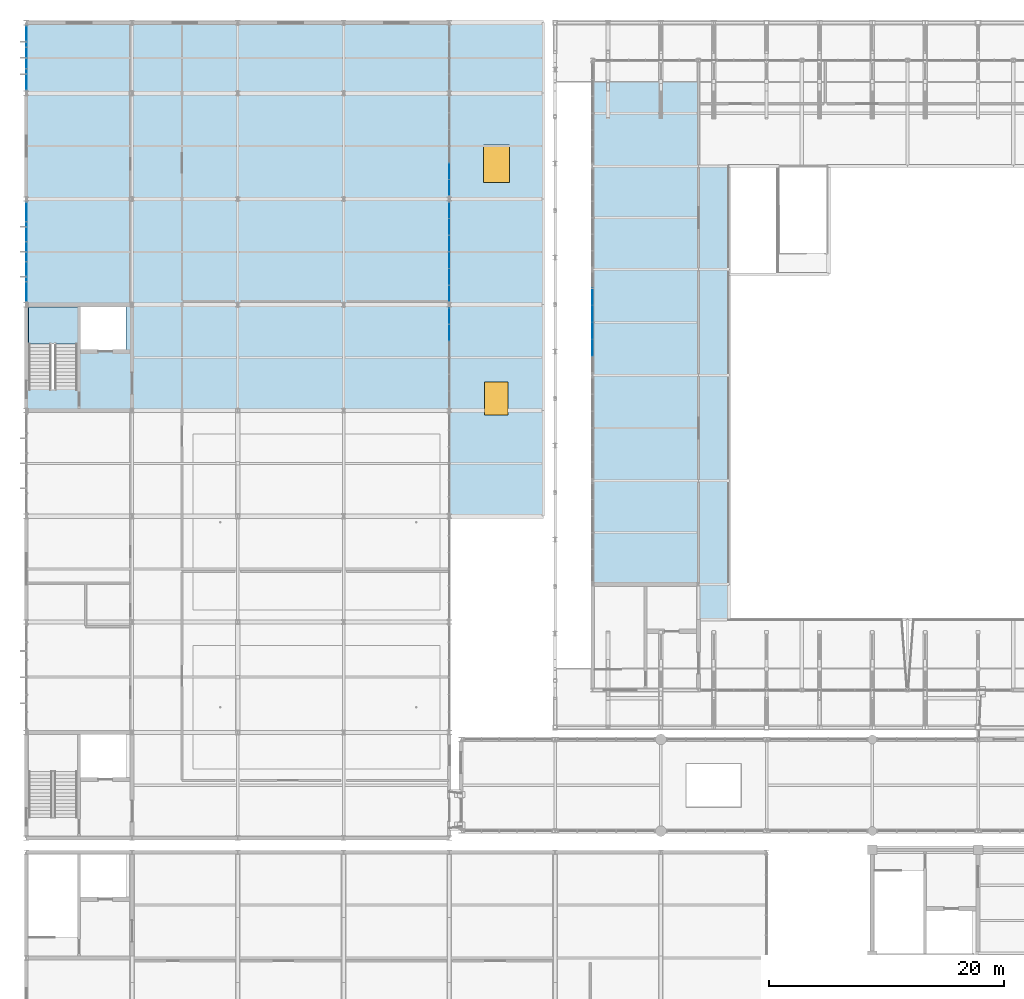
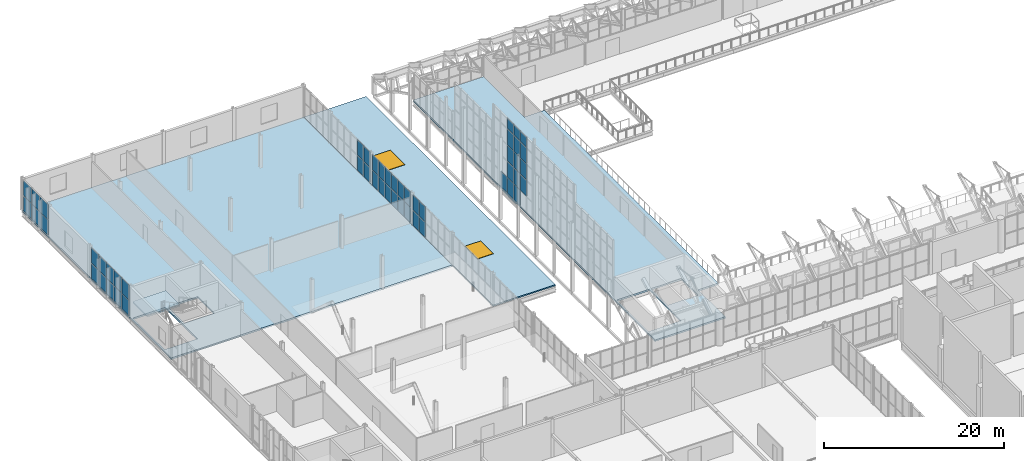
# One storey, part 96 of 134: 51 plates, 4 slabs, 2 windows, 2 openings, 7 elements without a shape of their own.
"""IFC4 building model written with IfcOpenShell, lengths in metres."""

from ifc_helpers import new_model, si_unit, direction, frame, origin, origin_2d, place, context, subcontext, project, spatial, polyline, rectangle, outline, extrude, material, layer, layer_set, type_object, element, fill, aggregate, save


model = new_model("IFC4")

# Units and contexts
model_context = context("Model", 3, precision=1e-05, world=origin(), true_north=direction((0.0, 1.0)))
body_context = subcontext(model_context, "Body", "Model", "MODEL_VIEW")
ifc_project = project(units=[si_unit("LENGTHUNIT", "METRE"), si_unit("AREAUNIT", "SQUARE_METRE"), si_unit("VOLUMEUNIT", "CUBIC_METRE"), si_unit("PLANEANGLEUNIT", "RADIAN"), si_unit("MASSUNIT", "GRAM", prefix="KILO")], contexts=[model_context])

# Site, building, storey
site_placement = place(None, origin())
site = spatial("IfcSite", under=ifc_project, at=site_placement, CompositionType="ELEMENT")
building_placement = place(site_placement, origin())
building = spatial("IfcBuilding", under=site, at=building_placement, Name="Cazmaro Siding Exhibition Halls", CompositionType="ELEMENT")
storey_placement = place(building_placement, frame((0.0, 0.0, 12.0)))
storey = spatial("IfcBuildingStorey", under=building, at=storey_placement, Name="L02", CompositionType="ELEMENT", Elevation=12.0)

# Curtain wall, plates
ifc_material_1 = material(Name="Anodized Bronze Aluminum and Solar-Control Low-E Glazing", Category="aluminium")
ifc_layer_1 = layer(ifc_material_1, 0.179931640625)
ifc_layer_set_1 = layer_set([ifc_layer_1], Name="Anodized Bronze Aluminum and Solar-Control Low-E Glazing")
curtain_wall_type_1 = type_object("IfcCurtainWallType", Name="CWS-01", PredefinedType="USERDEFINED", material=ifc_layer_set_1)
curtain_wall_1_placement = place(storey_placement, origin())
curtain_wall_1 = element("IfcCurtainWall", 1, at=curtain_wall_1_placement, inside=storey, type_object=curtain_wall_type_1, Name="Glazed Curtain Wall CWS-01 CW-241", ObjectType="GLAZED CURTAIN WALL", PredefinedType="USERDEFINED")
ifc_material_2 = material(Name="Solar-Control Low-E Double Insulating Glass", Category="glass")
ifc_layer_2 = layer(ifc_material_2, 0.02392578125)
ifc_layer_set_2 = layer_set([ifc_layer_2], Name="Solar-Control Low-E Double Insulating Glass")
plate_type_1 = type_object("IfcPlateType", Name="CWP-01", PredefinedType="CURTAIN_PANEL", material=ifc_layer_set_2)
plate_1_placement = place(storey_placement, frame((36.0, 97.62744140625, 0.06005859375), z_axis=(0.0, 0.0, 1.0), x_axis=(0.0, 1.0, 0.0)))
plate_1 = element("IfcPlate", 2, at=plate_1_placement, type_object=plate_type_1, Name="CWS-01 panel 5.1", PredefinedType="CURTAIN_PANEL", context=body_context, shape_type="SweptSolid", body=[
    extrude(rectangle(XDim=1.3583984375, YDim=0.02392578125, at=origin_2d()), origin(), (0.0, 0.0, 1.0), 2.050048828125),
])
plate_2_placement = place(storey_placement, frame((36.0, 97.62744140625, 2.169921875), z_axis=(0.0, 0.0, 1.0), x_axis=(0.0, 1.0, 0.0)))
plate_2 = element("IfcPlate", 3, at=plate_2_placement, type_object=plate_type_1, Name="CWS-01 panel 5.2", PredefinedType="CURTAIN_PANEL", context=body_context, shape_type="SweptSolid", body=[
    extrude(rectangle(XDim=1.3583984375, YDim=0.02392578125, at=origin_2d()), origin(), (0.0, 0.0, 1.0), 2.050048828125),
])
plate_3_placement = place(storey_placement, frame((36.0, 99.03076171875, 0.06005859375), z_axis=(0.0, 0.0, 1.0), x_axis=(0.0, 1.0, 0.0)))
plate_3 = element("IfcPlate", 4, at=plate_3_placement, type_object=plate_type_1, Name="CWS-01 panel 6.1", PredefinedType="CURTAIN_PANEL", context=body_context, shape_type="SweptSolid", body=[
    extrude(rectangle(XDim=1.328369140625, YDim=0.02392578125, at=origin_2d()), origin(), (0.0, 0.0, 1.0), 2.050048828125),
])
plate_4_placement = place(storey_placement, frame((36.0, 99.03076171875, 2.169921875), z_axis=(0.0, 0.0, 1.0), x_axis=(0.0, 1.0, 0.0)))
plate_4 = element("IfcPlate", 5, at=plate_4_placement, type_object=plate_type_1, Name="CWS-01 panel 6.2", PredefinedType="CURTAIN_PANEL", context=body_context, shape_type="SweptSolid", body=[
    extrude(rectangle(XDim=1.328369140625, YDim=0.02392578125, at=origin_2d()), origin(), (0.0, 0.0, 1.0), 2.050048828125),
])
aggregate(curtain_wall_1, [plate_1, plate_2, plate_3, plate_4])

curtain_wall_2_placement = place(storey_placement, origin())
curtain_wall_2 = element("IfcCurtainWall", 6, at=curtain_wall_2_placement, inside=storey, type_object=curtain_wall_type_1, Name="Glazed Curtain Wall CWS-01 CW-243", ObjectType="GLAZED CURTAIN WALL", PredefinedType="USERDEFINED")
plate_5_placement = place(storey_placement, frame((36.0, 100.96923828125, 0.06005859375), z_axis=(0.0, 0.0, 1.0), x_axis=(0.0, 1.0, 0.0)))
plate_5 = element("IfcPlate", 7, at=plate_5_placement, type_object=plate_type_1, Name="CWS-01 panel 1.1", PredefinedType="CURTAIN_PANEL", context=body_context, shape_type="SweptSolid", body=[
    extrude(rectangle(XDim=1.328369140625, YDim=0.02392578125, at=origin_2d()), origin(), (0.0, 0.0, 1.0), 2.050048828125),
])
plate_6_placement = place(storey_placement, frame((36.0, 100.96923828125, 2.169921875), z_axis=(0.0, 0.0, 1.0), x_axis=(0.0, 1.0, 0.0)))
plate_6 = element("IfcPlate", 8, at=plate_6_placement, type_object=plate_type_1, Name="CWS-01 panel 1.2", PredefinedType="CURTAIN_PANEL", context=body_context, shape_type="SweptSolid", body=[
    extrude(rectangle(XDim=1.328369140625, YDim=0.02392578125, at=origin_2d()), origin(), (0.0, 0.0, 1.0), 2.050048828125),
])
plate_7_placement = place(storey_placement, frame((36.0, 102.37255859375, 0.06005859375), z_axis=(0.0, 0.0, 1.0), x_axis=(0.0, 1.0, 0.0)))
plate_7 = element("IfcPlate", 9, at=plate_7_placement, type_object=plate_type_1, Name="CWS-01 panel 2.1", PredefinedType="CURTAIN_PANEL", context=body_context, shape_type="SweptSolid", body=[
    extrude(rectangle(XDim=1.3583984375, YDim=0.02392578125, at=origin_2d()), origin(), (0.0, 0.0, 1.0), 2.050048828125),
])
plate_8_placement = place(storey_placement, frame((36.0, 102.37255859375, 2.169921875), z_axis=(0.0, 0.0, 1.0), x_axis=(0.0, 1.0, 0.0)))
plate_8 = element("IfcPlate", 10, at=plate_8_placement, type_object=plate_type_1, Name="CWS-01 panel 2.2", PredefinedType="CURTAIN_PANEL", context=body_context, shape_type="SweptSolid", body=[
    extrude(rectangle(XDim=1.3583984375, YDim=0.02392578125, at=origin_2d()), origin(), (0.0, 0.0, 1.0), 2.050048828125),
])
plate_9_placement = place(storey_placement, frame((36.0, 103.790771484375, 0.06005859375), z_axis=(0.0, 0.0, 1.0), x_axis=(0.0, 1.0, 0.0)))
plate_9 = element("IfcPlate", 11, at=plate_9_placement, type_object=plate_type_1, Name="CWS-01 panel 3.1", PredefinedType="CURTAIN_PANEL", context=body_context, shape_type="SweptSolid", body=[
    extrude(rectangle(XDim=1.3583984375, YDim=0.02392578125, at=origin_2d()), origin(), (0.0, 0.0, 1.0), 2.050048828125),
])
plate_10_placement = place(storey_placement, frame((36.0, 103.790771484375, 2.169921875), z_axis=(0.0, 0.0, 1.0), x_axis=(0.0, 1.0, 0.0)))
plate_10 = element("IfcPlate", 12, at=plate_10_placement, type_object=plate_type_1, Name="CWS-01 panel 3.2", PredefinedType="CURTAIN_PANEL", context=body_context, shape_type="SweptSolid", body=[
    extrude(rectangle(XDim=1.3583984375, YDim=0.02392578125, at=origin_2d()), origin(), (0.0, 0.0, 1.0), 2.050048828125),
])
plate_11_placement = place(storey_placement, frame((36.0, 105.209228515625, 0.06005859375), z_axis=(0.0, 0.0, 1.0), x_axis=(0.0, 1.0, 0.0)))
plate_11 = element("IfcPlate", 13, at=plate_11_placement, type_object=plate_type_1, Name="CWS-01 panel 4.1", PredefinedType="CURTAIN_PANEL", context=body_context, shape_type="SweptSolid", body=[
    extrude(rectangle(XDim=1.3583984375, YDim=0.02392578125, at=origin_2d()), origin(), (0.0, 0.0, 1.0), 2.050048828125),
])
plate_12_placement = place(storey_placement, frame((36.0, 105.209228515625, 2.169921875), z_axis=(0.0, 0.0, 1.0), x_axis=(0.0, 1.0, 0.0)))
plate_12 = element("IfcPlate", 14, at=plate_12_placement, type_object=plate_type_1, Name="CWS-01 panel 4.2", PredefinedType="CURTAIN_PANEL", context=body_context, shape_type="SweptSolid", body=[
    extrude(rectangle(XDim=1.3583984375, YDim=0.02392578125, at=origin_2d()), origin(), (0.0, 0.0, 1.0), 2.050048828125),
])
plate_13_placement = place(storey_placement, frame((36.0, 106.62744140625, 0.06005859375), z_axis=(0.0, 0.0, 1.0), x_axis=(0.0, 1.0, 0.0)))
plate_13 = element("IfcPlate", 15, at=plate_13_placement, type_object=plate_type_1, Name="CWS-01 panel 5.1", PredefinedType="CURTAIN_PANEL", context=body_context, shape_type="SweptSolid", body=[
    extrude(rectangle(XDim=1.3583984375, YDim=0.02392578125, at=origin_2d()), origin(), (0.0, 0.0, 1.0), 2.050048828125),
])
plate_14_placement = place(storey_placement, frame((36.0, 106.62744140625, 2.169921875), z_axis=(0.0, 0.0, 1.0), x_axis=(0.0, 1.0, 0.0)))
plate_14 = element("IfcPlate", 16, at=plate_14_placement, type_object=plate_type_1, Name="CWS-01 panel 5.2", PredefinedType="CURTAIN_PANEL", context=body_context, shape_type="SweptSolid", body=[
    extrude(rectangle(XDim=1.3583984375, YDim=0.02392578125, at=origin_2d()), origin(), (0.0, 0.0, 1.0), 2.050048828125),
])
plate_15_placement = place(storey_placement, frame((36.0, 108.03076171875, 0.06005859375), z_axis=(0.0, 0.0, 1.0), x_axis=(0.0, 1.0, 0.0)))
plate_15 = element("IfcPlate", 17, at=plate_15_placement, type_object=plate_type_1, Name="CWS-01 panel 6.1", PredefinedType="CURTAIN_PANEL", context=body_context, shape_type="SweptSolid", body=[
    extrude(rectangle(XDim=1.328369140625, YDim=0.02392578125, at=origin_2d()), origin(), (0.0, 0.0, 1.0), 2.050048828125),
])
plate_16_placement = place(storey_placement, frame((36.0, 108.03076171875, 2.169921875), z_axis=(0.0, 0.0, 1.0), x_axis=(0.0, 1.0, 0.0)))
plate_16 = element("IfcPlate", 18, at=plate_16_placement, type_object=plate_type_1, Name="CWS-01 panel 6.2", PredefinedType="CURTAIN_PANEL", context=body_context, shape_type="SweptSolid", body=[
    extrude(rectangle(XDim=1.328369140625, YDim=0.02392578125, at=origin_2d()), origin(), (0.0, 0.0, 1.0), 2.050048828125),
])
aggregate(curtain_wall_2, [plate_5, plate_6, plate_7, plate_8, plate_9, plate_10, plate_11, plate_12, plate_13, plate_14, plate_15, plate_16])

curtain_wall_3_placement = place(storey_placement, origin())
curtain_wall_3 = element("IfcCurtainWall", 19, at=curtain_wall_3_placement, inside=storey, type_object=curtain_wall_type_1, Name="Glazed Curtain Wall CWS-01 CW-244", ObjectType="GLAZED CURTAIN WALL", PredefinedType="USERDEFINED")
plate_17_placement = place(storey_placement, frame((36.0, 109.96923828125, 0.06005859375), z_axis=(0.0, 0.0, 1.0), x_axis=(0.0, 1.0, 0.0)))
plate_17 = element("IfcPlate", 20, at=plate_17_placement, type_object=plate_type_1, Name="CWS-01 panel 1.1", PredefinedType="CURTAIN_PANEL", context=body_context, shape_type="SweptSolid", body=[
    extrude(rectangle(XDim=1.328369140625, YDim=0.02392578125, at=origin_2d()), origin(), (0.0, 0.0, 1.0), 2.050048828125),
])
plate_18_placement = place(storey_placement, frame((36.0, 109.96923828125, 2.169921875), z_axis=(0.0, 0.0, 1.0), x_axis=(0.0, 1.0, 0.0)))
plate_18 = element("IfcPlate", 21, at=plate_18_placement, type_object=plate_type_1, Name="CWS-01 panel 1.2", PredefinedType="CURTAIN_PANEL", context=body_context, shape_type="SweptSolid", body=[
    extrude(rectangle(XDim=1.328369140625, YDim=0.02392578125, at=origin_2d()), origin(), (0.0, 0.0, 1.0), 2.050048828125),
])
plate_19_placement = place(storey_placement, frame((36.0, 111.37255859375, 0.06005859375), z_axis=(0.0, 0.0, 1.0), x_axis=(0.0, 1.0, 0.0)))
plate_19 = element("IfcPlate", 22, at=plate_19_placement, type_object=plate_type_1, Name="CWS-01 panel 2.1", PredefinedType="CURTAIN_PANEL", context=body_context, shape_type="SweptSolid", body=[
    extrude(rectangle(XDim=1.3583984375, YDim=0.02392578125, at=origin_2d()), origin(), (0.0, 0.0, 1.0), 2.050048828125),
])
plate_20_placement = place(storey_placement, frame((36.0, 111.37255859375, 2.169921875), z_axis=(0.0, 0.0, 1.0), x_axis=(0.0, 1.0, 0.0)))
plate_20 = element("IfcPlate", 23, at=plate_20_placement, type_object=plate_type_1, Name="CWS-01 panel 2.2", PredefinedType="CURTAIN_PANEL", context=body_context, shape_type="SweptSolid", body=[
    extrude(rectangle(XDim=1.3583984375, YDim=0.02392578125, at=origin_2d()), origin(), (0.0, 0.0, 1.0), 2.050048828125),
])
aggregate(curtain_wall_3, [plate_17, plate_18, plate_19, plate_20])

ifc_material_3 = material(Name="Anodized Bronze Aluminum and Solar-Control Low-E Glazing", Category="aluminium")
ifc_layer_3 = layer(ifc_material_3, 0.199951171875)
ifc_layer_set_3 = layer_set([ifc_layer_3], Name="Anodized Bronze Aluminum and Solar-Control Low-E Glazing")
curtain_wall_type_2 = type_object("IfcCurtainWallType", Name="CWS-02", PredefinedType="USERDEFINED", material=ifc_layer_set_3)
curtain_wall_4_placement = place(storey_placement, origin())
curtain_wall_4 = element("IfcCurtainWall", 24, at=curtain_wall_4_placement, inside=storey, type_object=curtain_wall_type_2, Name="Glazed Curtain Wall CWS-02 CW-242", ObjectType="GLAZED CURTAIN WALL", PredefinedType="USERDEFINED")
ifc_material_4 = material(Name="Solar-Control Low-E Double Insulating Glass", Category="glass")
ifc_layer_4 = layer(ifc_material_4, 0.035888671875)
ifc_layer_set_4 = layer_set([ifc_layer_4], Name="Solar-Control Low-E Double Insulating Glass")
plate_type_2 = type_object("IfcPlateType", Name="CWP-02", PredefinedType="CURTAIN_PANEL", material=ifc_layer_set_4)
plate_21_placement = place(storey_placement, frame((0.0, 107.8876953125, 0.06494140625), z_axis=(0.0, 0.0, 1.0), x_axis=(0.0, -1.0, 0.0)))
plate_21 = element("IfcPlate", 25, at=plate_21_placement, type_object=plate_type_2, Name="CWS-02 panel 1.1", PredefinedType="CURTAIN_PANEL", context=body_context, shape_type="SweptSolid", body=[
    extrude(rectangle(XDim=1.6044921875, YDim=0.035888671875, at=origin_2d()), origin(), (0.0, 0.0, 1.0), 2.04248046875),
])
plate_22_placement = place(storey_placement, frame((0.0, 107.8876953125, 2.172607421875), z_axis=(0.0, 0.0, 1.0), x_axis=(0.0, -1.0, 0.0)))
plate_22 = element("IfcPlate", 26, at=plate_22_placement, type_object=plate_type_2, Name="CWS-02 panel 1.2", PredefinedType="CURTAIN_PANEL", context=body_context, shape_type="SweptSolid", body=[
    extrude(rectangle(XDim=1.6044921875, YDim=0.035888671875, at=origin_2d()), origin(), (0.0, 0.0, 1.0), 2.04248046875),
])
plate_23_placement = place(storey_placement, frame((0.0, 106.201904296875, 0.06494140625), z_axis=(0.0, 0.0, 1.0), x_axis=(0.0, -1.0, 0.0)))
plate_23 = element("IfcPlate", 27, at=plate_23_placement, type_object=plate_type_2, Name="CWS-02 panel 2.1", PredefinedType="CURTAIN_PANEL", context=body_context, shape_type="SweptSolid", body=[
    extrude(rectangle(XDim=1.636962890625, YDim=0.035888671875, at=origin_2d()), origin(), (0.0, 0.0, 1.0), 2.04248046875),
])
plate_24_placement = place(storey_placement, frame((0.0, 106.201904296875, 2.172607421875), z_axis=(0.0, 0.0, 1.0), x_axis=(0.0, -1.0, 0.0)))
plate_24 = element("IfcPlate", 28, at=plate_24_placement, type_object=plate_type_2, Name="CWS-02 panel 2.2", PredefinedType="CURTAIN_PANEL", context=body_context, shape_type="SweptSolid", body=[
    extrude(rectangle(XDim=1.636962890625, YDim=0.035888671875, at=origin_2d()), origin(), (0.0, 0.0, 1.0), 2.04248046875),
])
plate_25_placement = place(storey_placement, frame((0.0, 104.5, 0.06494140625), z_axis=(0.0, 0.0, 1.0), x_axis=(0.0, -1.0, 0.0)))
plate_25 = element("IfcPlate", 29, at=plate_25_placement, type_object=plate_type_2, Name="CWS-02 panel 3.1", PredefinedType="CURTAIN_PANEL", context=body_context, shape_type="SweptSolid", body=[
    extrude(rectangle(XDim=1.636962890625, YDim=0.035888671875, at=origin_2d()), origin(), (0.0, 0.0, 1.0), 2.04248046875),
])
plate_26_placement = place(storey_placement, frame((0.0, 104.5, 2.172607421875), z_axis=(0.0, 0.0, 1.0), x_axis=(0.0, -1.0, 0.0)))
plate_26 = element("IfcPlate", 30, at=plate_26_placement, type_object=plate_type_2, Name="CWS-02 panel 3.2", PredefinedType="CURTAIN_PANEL", context=body_context, shape_type="SweptSolid", body=[
    extrude(rectangle(XDim=1.636962890625, YDim=0.035888671875, at=origin_2d()), origin(), (0.0, 0.0, 1.0), 2.04248046875),
])
plate_27_placement = place(storey_placement, frame((0.0, 102.798095703125, 0.06494140625), z_axis=(0.0, 0.0, 1.0), x_axis=(0.0, -1.0, 0.0)))
plate_27 = element("IfcPlate", 31, at=plate_27_placement, type_object=plate_type_2, Name="CWS-02 panel 4.1", PredefinedType="CURTAIN_PANEL", context=body_context, shape_type="SweptSolid", body=[
    extrude(rectangle(XDim=1.636962890625, YDim=0.035888671875, at=origin_2d()), origin(), (0.0, 0.0, 1.0), 2.04248046875),
])
plate_28_placement = place(storey_placement, frame((0.0, 102.798095703125, 2.172607421875), z_axis=(0.0, 0.0, 1.0), x_axis=(0.0, -1.0, 0.0)))
plate_28 = element("IfcPlate", 32, at=plate_28_placement, type_object=plate_type_2, Name="CWS-02 panel 4.2", PredefinedType="CURTAIN_PANEL", context=body_context, shape_type="SweptSolid", body=[
    extrude(rectangle(XDim=1.636962890625, YDim=0.035888671875, at=origin_2d()), origin(), (0.0, 0.0, 1.0), 2.04248046875),
])
plate_29_placement = place(storey_placement, frame((0.0, 101.1123046875, 0.06494140625), z_axis=(0.0, 0.0, 1.0), x_axis=(0.0, -1.0, 0.0)))
plate_29 = element("IfcPlate", 33, at=plate_29_placement, type_object=plate_type_2, Name="CWS-02 panel 5.1", PredefinedType="CURTAIN_PANEL", context=body_context, shape_type="SweptSolid", body=[
    extrude(rectangle(XDim=1.6044921875, YDim=0.035888671875, at=origin_2d()), origin(), (0.0, 0.0, 1.0), 2.04248046875),
])
plate_30_placement = place(storey_placement, frame((0.0, 101.1123046875, 2.172607421875), z_axis=(0.0, 0.0, 1.0), x_axis=(0.0, -1.0, 0.0)))
plate_30 = element("IfcPlate", 34, at=plate_30_placement, type_object=plate_type_2, Name="CWS-02 panel 5.2", PredefinedType="CURTAIN_PANEL", context=body_context, shape_type="SweptSolid", body=[
    extrude(rectangle(XDim=1.6044921875, YDim=0.035888671875, at=origin_2d()), origin(), (0.0, 0.0, 1.0), 2.04248046875),
])
aggregate(curtain_wall_4, [plate_21, plate_22, plate_23, plate_24, plate_25, plate_26, plate_27, plate_28, plate_29, plate_30])

curtain_wall_5_placement = place(storey_placement, origin())
curtain_wall_5 = element("IfcCurtainWall", 35, at=curtain_wall_5_placement, inside=storey, type_object=curtain_wall_type_2, Name="Glazed Curtain Wall CWS-02 CW-245", ObjectType="GLAZED CURTAIN WALL", PredefinedType="USERDEFINED")
plate_31_placement = place(storey_placement, frame((0.0, 122.8203125, 0.06494140625), z_axis=(0.0, 0.0, 1.0), x_axis=(0.0, -1.0, 0.0)))
plate_31 = element("IfcPlate", 36, at=plate_31_placement, type_object=plate_type_2, Name="CWS-02 panel 1.1", PredefinedType="CURTAIN_PANEL", context=body_context, shape_type="SweptSolid", body=[
    extrude(rectangle(XDim=1.7392578125, YDim=0.035888671875, at=origin_2d()), origin(), (0.0, 0.0, 1.0), 2.04248046875),
])
plate_32_placement = place(storey_placement, frame((0.0, 122.8203125, 2.172607421875), z_axis=(0.0, 0.0, 1.0), x_axis=(0.0, -1.0, 0.0)))
plate_32 = element("IfcPlate", 37, at=plate_32_placement, type_object=plate_type_2, Name="CWS-02 panel 1.2", PredefinedType="CURTAIN_PANEL", context=body_context, shape_type="SweptSolid", body=[
    extrude(rectangle(XDim=1.7392578125, YDim=0.035888671875, at=origin_2d()), origin(), (0.0, 0.0, 1.0), 2.04248046875),
])
plate_33_placement = place(storey_placement, frame((0.0, 121.0, 0.06494140625), z_axis=(0.0, 0.0, 1.0), x_axis=(0.0, -1.0, 0.0)))
plate_33 = element("IfcPlate", 38, at=plate_33_placement, type_object=plate_type_2, Name="CWS-02 panel 2.1", PredefinedType="CURTAIN_PANEL", context=body_context, shape_type="SweptSolid", body=[
    extrude(rectangle(XDim=1.771728515625, YDim=0.035888671875, at=origin_2d()), origin(), (0.0, 0.0, 1.0), 2.04248046875),
])
plate_34_placement = place(storey_placement, frame((0.0, 121.0, 2.172607421875), z_axis=(0.0, 0.0, 1.0), x_axis=(0.0, -1.0, 0.0)))
plate_34 = element("IfcPlate", 39, at=plate_34_placement, type_object=plate_type_2, Name="CWS-02 panel 2.2", PredefinedType="CURTAIN_PANEL", context=body_context, shape_type="SweptSolid", body=[
    extrude(rectangle(XDim=1.771728515625, YDim=0.035888671875, at=origin_2d()), origin(), (0.0, 0.0, 1.0), 2.04248046875),
])
plate_35_placement = place(storey_placement, frame((0.0, 119.1796875, 0.06494140625), z_axis=(0.0, 0.0, 1.0), x_axis=(0.0, -1.0, 0.0)))
plate_35 = element("IfcPlate", 40, at=plate_35_placement, type_object=plate_type_2, Name="CWS-02 panel 3.1", PredefinedType="CURTAIN_PANEL", context=body_context, shape_type="SweptSolid", body=[
    extrude(rectangle(XDim=1.7392578125, YDim=0.035888671875, at=origin_2d()), origin(), (0.0, 0.0, 1.0), 2.04248046875),
])
plate_36_placement = place(storey_placement, frame((0.0, 119.1796875, 2.172607421875), z_axis=(0.0, 0.0, 1.0), x_axis=(0.0, -1.0, 0.0)))
plate_36 = element("IfcPlate", 41, at=plate_36_placement, type_object=plate_type_2, Name="CWS-02 panel 3.2", PredefinedType="CURTAIN_PANEL", context=body_context, shape_type="SweptSolid", body=[
    extrude(rectangle(XDim=1.7392578125, YDim=0.035888671875, at=origin_2d()), origin(), (0.0, 0.0, 1.0), 2.04248046875),
])
aggregate(curtain_wall_5, [plate_31, plate_32, plate_33, plate_34, plate_35, plate_36])

ifc_material_5 = material(Name="Anodized Bronze Aluminum and Solar-Control Low-E Glazing", Category="aluminium")
ifc_layer_5 = layer(ifc_material_5, 0.219970703125)
ifc_layer_set_5 = layer_set([ifc_layer_5], Name="Anodized Bronze Aluminum and Solar-Control Low-E Glazing")
curtain_wall_type_3 = type_object("IfcCurtainWallType", Name="CWS-03", PredefinedType="USERDEFINED", material=ifc_layer_set_5)
curtain_wall_6_placement = place(storey_placement, origin())
curtain_wall_6 = element("IfcCurtainWall", 42, at=curtain_wall_6_placement, inside=storey, type_object=curtain_wall_type_3, Name="Glazed Curtain Wall CWS-03 CW-058", ObjectType="GLAZED CURTAIN WALL", PredefinedType="USERDEFINED")
ifc_material_6 = material(Name="Solar-Control Low-E Double Insulating Glass", Category="glass")
ifc_layer_6 = layer(ifc_material_6, 0.0458984375)
ifc_layer_set_6 = layer_set([ifc_layer_6], Name="Solar-Control Low-E Double Insulating Glass")
plate_type_3 = type_object("IfcPlateType", Name="CWP-03", PredefinedType="CURTAIN_PANEL", material=ifc_layer_set_6)
plate_37_placement = place(storey_placement, frame((48.199951171875, 100.66162109375, 0.06982421875), z_axis=(0.0, 0.0, 1.0), x_axis=(0.0, -1.0, 0.0)))
plate_37 = element("IfcPlate", 43, at=plate_37_placement, type_object=plate_type_3, Name="CWS-03 panel 2.1", PredefinedType="CURTAIN_PANEL", context=body_context, shape_type="SweptSolid", body=[
    extrude(rectangle(XDim=1.37109375, YDim=0.0458984375, at=origin_2d()), origin(), (0.0, 0.0, 1.0), 2.094970703125),
])
plate_38_placement = place(storey_placement, frame((48.199951171875, 99.220458984375, 0.06982421875), z_axis=(0.0, 0.0, 1.0), x_axis=(0.0, -1.0, 0.0)))
plate_38 = element("IfcPlate", 44, at=plate_38_placement, type_object=plate_type_3, Name="CWS-03 panel 3.1", PredefinedType="CURTAIN_PANEL", context=body_context, shape_type="SweptSolid", body=[
    extrude(rectangle(XDim=1.37109375, YDim=0.0458984375, at=origin_2d()), origin(), (0.0, 0.0, 1.0), 2.094970703125),
])
plate_39_placement = place(storey_placement, frame((48.199951171875, 99.220458984375, 2.235107421875), z_axis=(0.0, 0.0, 1.0), x_axis=(0.0, -1.0, 0.0)))
plate_39 = element("IfcPlate", 45, at=plate_39_placement, type_object=plate_type_3, Name="CWS-03 panel 3.2", PredefinedType="CURTAIN_PANEL", context=body_context, shape_type="SweptSolid", body=[
    extrude(rectangle(XDim=1.37109375, YDim=0.0458984375, at=origin_2d()), origin(), (0.0, 0.0, 1.0), 2.1298828125),
])
plate_40_placement = place(storey_placement, frame((48.199951171875, 99.220458984375, 4.43505859375), z_axis=(0.0, 0.0, 1.0), x_axis=(0.0, -1.0, 0.0)))
plate_40 = element("IfcPlate", 46, at=plate_40_placement, type_object=plate_type_3, Name="CWS-03 panel 3.3", PredefinedType="CURTAIN_PANEL", context=body_context, shape_type="SweptSolid", body=[
    extrude(rectangle(XDim=1.37109375, YDim=0.0458984375, at=origin_2d()), origin(), (0.0, 0.0, 1.0), 2.1298828125),
])
plate_41_placement = place(storey_placement, frame((48.199951171875, 99.220458984375, 6.635009765625), z_axis=(0.0, 0.0, 1.0), x_axis=(0.0, -1.0, 0.0)))
plate_41 = element("IfcPlate", 47, at=plate_41_placement, type_object=plate_type_3, Name="CWS-03 panel 3.4", PredefinedType="CURTAIN_PANEL", context=body_context, shape_type="SweptSolid", body=[
    extrude(rectangle(XDim=1.37109375, YDim=0.0458984375, at=origin_2d()), origin(), (0.0, 0.0, 1.0), 2.1298828125),
])
plate_42_placement = place(storey_placement, frame((48.199951171875, 99.220458984375, 8.8349609375), z_axis=(0.0, 0.0, 1.0), x_axis=(0.0, -1.0, 0.0)))
plate_42 = element("IfcPlate", 48, at=plate_42_placement, type_object=plate_type_3, Name="CWS-03 panel 3.5", PredefinedType="CURTAIN_PANEL", context=body_context, shape_type="SweptSolid", body=[
    extrude(rectangle(XDim=1.37109375, YDim=0.0458984375, at=origin_2d()), origin(), (0.0, 0.0, 1.0), 1.35302734375),
])
plate_43_placement = place(storey_placement, frame((48.199951171875, 97.779541015625, 0.06982421875), z_axis=(0.0, 0.0, 1.0), x_axis=(0.0, -1.0, 0.0)))
plate_43 = element("IfcPlate", 49, at=plate_43_placement, type_object=plate_type_3, Name="CWS-03 panel 4.1", PredefinedType="CURTAIN_PANEL", context=body_context, shape_type="SweptSolid", body=[
    extrude(rectangle(XDim=1.37109375, YDim=0.0458984375, at=origin_2d()), origin(), (0.0, 0.0, 1.0), 2.094970703125),
])
plate_44_placement = place(storey_placement, frame((48.199951171875, 97.779541015625, 2.235107421875), z_axis=(0.0, 0.0, 1.0), x_axis=(0.0, -1.0, 0.0)))
plate_44 = element("IfcPlate", 50, at=plate_44_placement, type_object=plate_type_3, Name="CWS-03 panel 4.2", PredefinedType="CURTAIN_PANEL", context=body_context, shape_type="SweptSolid", body=[
    extrude(rectangle(XDim=1.37109375, YDim=0.0458984375, at=origin_2d()), origin(), (0.0, 0.0, 1.0), 2.1298828125),
])
plate_45_placement = place(storey_placement, frame((48.199951171875, 97.779541015625, 4.43505859375), z_axis=(0.0, 0.0, 1.0), x_axis=(0.0, -1.0, 0.0)))
plate_45 = element("IfcPlate", 51, at=plate_45_placement, type_object=plate_type_3, Name="CWS-03 panel 4.3", PredefinedType="CURTAIN_PANEL", context=body_context, shape_type="SweptSolid", body=[
    extrude(rectangle(XDim=1.37109375, YDim=0.0458984375, at=origin_2d()), origin(), (0.0, 0.0, 1.0), 2.1298828125),
])
plate_46_placement = place(storey_placement, frame((48.199951171875, 97.779541015625, 6.635009765625), z_axis=(0.0, 0.0, 1.0), x_axis=(0.0, -1.0, 0.0)))
plate_46 = element("IfcPlate", 52, at=plate_46_placement, type_object=plate_type_3, Name="CWS-03 panel 4.4", PredefinedType="CURTAIN_PANEL", context=body_context, shape_type="SweptSolid", body=[
    extrude(rectangle(XDim=1.37109375, YDim=0.0458984375, at=origin_2d()), origin(), (0.0, 0.0, 1.0), 2.1298828125),
])
plate_47_placement = place(storey_placement, frame((48.199951171875, 97.779541015625, 8.8349609375), z_axis=(0.0, 0.0, 1.0), x_axis=(0.0, -1.0, 0.0)))
plate_47 = element("IfcPlate", 53, at=plate_47_placement, type_object=plate_type_3, Name="CWS-03 panel 4.5", PredefinedType="CURTAIN_PANEL", context=body_context, shape_type="SweptSolid", body=[
    extrude(rectangle(XDim=1.37109375, YDim=0.0458984375, at=origin_2d()), origin(), (0.0, 0.0, 1.0), 1.35302734375),
])
plate_48_placement = place(storey_placement, frame((48.199951171875, 96.33837890625, 2.235107421875), z_axis=(0.0, 0.0, 1.0), x_axis=(0.0, -1.0, 0.0)))
plate_48 = element("IfcPlate", 54, at=plate_48_placement, type_object=plate_type_3, Name="CWS-03 panel 5.2", PredefinedType="CURTAIN_PANEL", context=body_context, shape_type="SweptSolid", body=[
    extrude(rectangle(XDim=1.37109375, YDim=0.0458984375, at=origin_2d()), origin(), (0.0, 0.0, 1.0), 2.1298828125),
])
plate_49_placement = place(storey_placement, frame((48.199951171875, 96.33837890625, 4.43505859375), z_axis=(0.0, 0.0, 1.0), x_axis=(0.0, -1.0, 0.0)))
plate_49 = element("IfcPlate", 55, at=plate_49_placement, type_object=plate_type_3, Name="CWS-03 panel 5.3", PredefinedType="CURTAIN_PANEL", context=body_context, shape_type="SweptSolid", body=[
    extrude(rectangle(XDim=1.37109375, YDim=0.0458984375, at=origin_2d()), origin(), (0.0, 0.0, 1.0), 2.1298828125),
])
plate_50_placement = place(storey_placement, frame((48.199951171875, 96.33837890625, 6.635009765625), z_axis=(0.0, 0.0, 1.0), x_axis=(0.0, -1.0, 0.0)))
plate_50 = element("IfcPlate", 56, at=plate_50_placement, type_object=plate_type_3, Name="CWS-03 panel 5.4", PredefinedType="CURTAIN_PANEL", context=body_context, shape_type="SweptSolid", body=[
    extrude(rectangle(XDim=1.37109375, YDim=0.0458984375, at=origin_2d()), origin(), (0.0, 0.0, 1.0), 2.1298828125),
])
plate_51_placement = place(storey_placement, frame((48.199951171875, 96.33837890625, 8.8349609375), z_axis=(0.0, 0.0, 1.0), x_axis=(0.0, -1.0, 0.0)))
plate_51 = element("IfcPlate", 57, at=plate_51_placement, type_object=plate_type_3, Name="CWS-03 panel 5.5", PredefinedType="CURTAIN_PANEL", context=body_context, shape_type="SweptSolid", body=[
    extrude(rectangle(XDim=1.37109375, YDim=0.0458984375, at=origin_2d()), origin(), (0.0, 0.0, 1.0), 1.35302734375),
])
aggregate(curtain_wall_6, [plate_37, plate_38, plate_39, plate_40, plate_41, plate_42, plate_43, plate_44, plate_45, plate_46, plate_47, plate_48, plate_49, plate_50, plate_51])

# Slabs
ifc_material_7 = material(Name="Concrete f'c 35 MPa", Category="concrete")
ifc_layer_7 = layer(ifc_material_7, 0.219970703125)
ifc_layer_set_7 = layer_set([ifc_layer_7], Name="Concrete f'c 35 MPa")
slab_type_1 = type_object("IfcSlabType", Name="FS-01", PredefinedType="FLOOR", material=ifc_layer_set_7)
slab_1_placement = place(storey_placement, frame((0.0, 0.0, -0.219970703125)))
element("IfcSlab", 58, at=slab_1_placement, inside=storey, type_object=slab_type_1, Name="Hall A West Tech Gallery L02 FS-01 SLB-0024", PredefinedType="FLOOR", context=body_context, shape_type="SweptSolid", body=[
    extrude(outline(polyline([(48.199951171875, 67.199951171875), (57.199951171875, 67.199951171875), (57.199951171875, 73.199951171875), (59.800048828125, 73.199951171875), (59.800048828125, 111.800048828125), (57.199951171875, 111.800048828125), (57.199951171875, 120.800048828125), (48.199951171875, 120.800048828125), (48.199951171875, 67.199951171875)]), holes=[polyline([(48.3798828125, 68.97998046875), (52.574951171875, 68.97998046875), (52.574951171875, 76.02001953125), (48.3798828125, 76.02001953125), (48.3798828125, 68.97998046875)]), polyline([(52.824951171875, 72.320068359375), (56.679931640625, 72.320068359375), (56.679931640625, 76.02001953125), (52.824951171875, 76.02001953125), (52.824951171875, 72.320068359375)])]), origin(), (0.0, 0.0, 1.0), 0.219970703125),
])
slab_2_placement = place(storey_placement, frame((0.0, 0.0, -0.219970703125)))
element("IfcSlab", 59, at=slab_2_placement, inside=storey, type_object=slab_type_1, Name="West Wing North L02 FS-01 SLB-0037", PredefinedType="FLOOR", context=body_context, shape_type="SweptSolid", body=[
    extrude(outline(polyline([(0.0, 91.0), (36.0, 91.0), (36.0, 124.0), (0.0, 124.0), (0.0, 91.0)]), holes=[polyline([(0.179931640625, 92.780029296875), (4.375, 92.780029296875), (4.375, 99.820068359375), (0.179931640625, 99.820068359375), (0.179931640625, 92.780029296875)]), polyline([(4.625, 96.1201171875), (8.47998046875, 96.1201171875), (8.47998046875, 99.820068359375), (4.625, 99.820068359375), (4.625, 96.1201171875)])]), origin(), (0.0, 0.0, 1.0), 0.219970703125),
])

# Stair, slab
ifc_material_8 = material(Name="Concrete f'c 40 MPa", Category="concrete")
stair_type = type_object("IfcStairType", Name="STT-20", PredefinedType="TWO_STRAIGHT_RUN_STAIR", material=ifc_material_8)
stair_placement = place(storey_placement, origin())
stair = element("IfcStair", 60, at=stair_placement, inside=storey, type_object=stair_type, Name="Core C8 Exit Stair L02-L03 ST-20", PredefinedType="TWO_STRAIGHT_RUN_STAIR")
ifc_material_9 = material(Name="Concrete f'c 40 MPa", Category="concrete")
ifc_layer_8 = layer(ifc_material_9, 0.199951171875)
ifc_layer_set_8 = layer_set([ifc_layer_8], Name="Concrete f'c 40 MPa")
slab_type_2 = type_object("IfcSlabType", Name="LND-20", PredefinedType="LANDING", material=ifc_layer_set_8)
slab_3_placement = place(storey_placement, frame((0.0, 0.0, 2.050048828125)))
slab_3 = element("IfcSlab", 61, at=slab_3_placement, type_object=slab_type_2, Name="ST-20 landing 1", PredefinedType="LANDING", context=body_context, shape_type="SweptSolid", body=[
    extrude(outline(polyline([(0.175048828125, 96.639892578125), (4.3798828125, 96.639892578125), (4.3798828125, 99.824951171875), (0.175048828125, 99.824951171875), (0.175048828125, 96.639892578125)])), origin(), (0.0, 0.0, 1.0), 0.199951171875),
])
aggregate(stair, [slab_3])

# Slab, openings, windows
ifc_material_10 = material(Name="Concrete f'c 35 MPa", Category="concrete")
ifc_layer_9 = layer(ifc_material_10, 0.175048828125)
ifc_layer_set_9 = layer_set([ifc_layer_9], Name="Concrete f'c 35 MPa")
slab_type_3 = type_object("IfcSlabType", Name="RS-02", PredefinedType="ROOF", material=ifc_layer_set_9)
slab_4_placement = place(storey_placement, frame((0.0, 0.0, -0.175048828125)))
slab_4 = element("IfcSlab", 62, at=slab_4_placement, inside=storey, type_object=slab_type_3, Name="West Wing NW Return Roof RS-02 SLB-0038", PredefinedType="ROOF", context=body_context, shape_type="SweptSolid", body=[
    extrude(outline(polyline([(36.0, 82.0), (44.0, 82.0), (44.0, 124.0), (36.0, 124.0), (36.0, 82.0)]), holes=[polyline([(39.001953125, 90.60205078125), (40.998046875, 90.60205078125), (40.998046875, 93.39794921875), (39.001953125, 93.39794921875), (39.001953125, 90.60205078125)]), polyline([(38.902099609375, 110.402099609375), (41.097900390625, 110.402099609375), (41.097900390625, 113.597900390625), (38.902099609375, 113.597900390625), (38.902099609375, 110.402099609375)])]), origin(), (0.0, 0.0, 1.0), 0.175048828125),
])
opening_1_placement = place(slab_4_placement, frame((40.0, 92.0, -0.010009765625)))
opening_1 = element("IfcOpeningElement", 63, at=opening_1_placement, cuts=slab_4, Name="Opening SK-11", PredefinedType="OPENING", context=body_context, shape_type="SweptSolid", body=[
    extrude(rectangle(XDim=2.0, YDim=2.800048828125, at=origin_2d()), origin(), (0.0, 0.0, 1.0), 0.235107421875),
])
opening_2_placement = place(slab_4_placement, frame((40.0, 112.0, -0.010009765625)))
opening_2 = element("IfcOpeningElement", 64, at=opening_2_placement, cuts=slab_4, Name="Opening SK-12", PredefinedType="OPENING", context=body_context, shape_type="SweptSolid", body=[
    extrude(rectangle(XDim=2.199951171875, YDim=3.199951171875, at=origin_2d()), origin(), (0.0, 0.0, 1.0), 0.235107421875),
])
ifc_material_11 = material(Name="Laminated Solar-Control Roof Skylight Glazing", Category="glass")
ifc_layer_10 = layer(ifc_material_11, 0.080078125)
ifc_layer_set_10 = layer_set([ifc_layer_10], Name="Laminated Solar-Control Roof Skylight Glazing")
window_type_1 = type_object("IfcWindowType", Name="SKT-01", PartitioningType="SINGLE_PANEL", PredefinedType="SKYLIGHT", material=ifc_layer_set_10)
window_1_placement = place(opening_1_placement, frame((0.0, 0.0, 0.14501953125)))
window_1 = element("IfcWindow", 65, at=window_1_placement, inside=storey, type_object=window_type_1, Name="Roof skylight SK-11 (SKT-01)", OverallHeight=2.800048828125, OverallWidth=2.0, PartitioningType="SINGLE_PANEL", PredefinedType="SKYLIGHT", context=body_context, shape_type="SweptSolid", body=[
    extrude(rectangle(XDim=2.0, YDim=2.800048828125, at=origin_2d()), origin(), (0.0, 0.0, 1.0), 0.080078125),
])
fill(opening_1, window_1)
ifc_material_12 = material(Name="Laminated Solar-Control Roof Skylight Glazing", Category="glass")
ifc_layer_11 = layer(ifc_material_12, 0.080078125)
ifc_layer_set_11 = layer_set([ifc_layer_11], Name="Laminated Solar-Control Roof Skylight Glazing")
window_type_2 = type_object("IfcWindowType", Name="SKT-02", PartitioningType="SINGLE_PANEL", PredefinedType="SKYLIGHT", material=ifc_layer_set_11)
window_2_placement = place(opening_2_placement, frame((0.0, 0.0, 0.14501953125)))
window_2 = element("IfcWindow", 66, at=window_2_placement, inside=storey, type_object=window_type_2, Name="Roof skylight SK-12 (SKT-02)", OverallHeight=3.199951171875, OverallWidth=2.199951171875, PartitioningType="SINGLE_PANEL", PredefinedType="SKYLIGHT", context=body_context, shape_type="SweptSolid", body=[
    extrude(rectangle(XDim=2.199951171875, YDim=3.199951171875, at=origin_2d()), origin(), (0.0, 0.0, 1.0), 0.080078125),
])
fill(opening_2, window_2)

save(model, "model.ifc")
